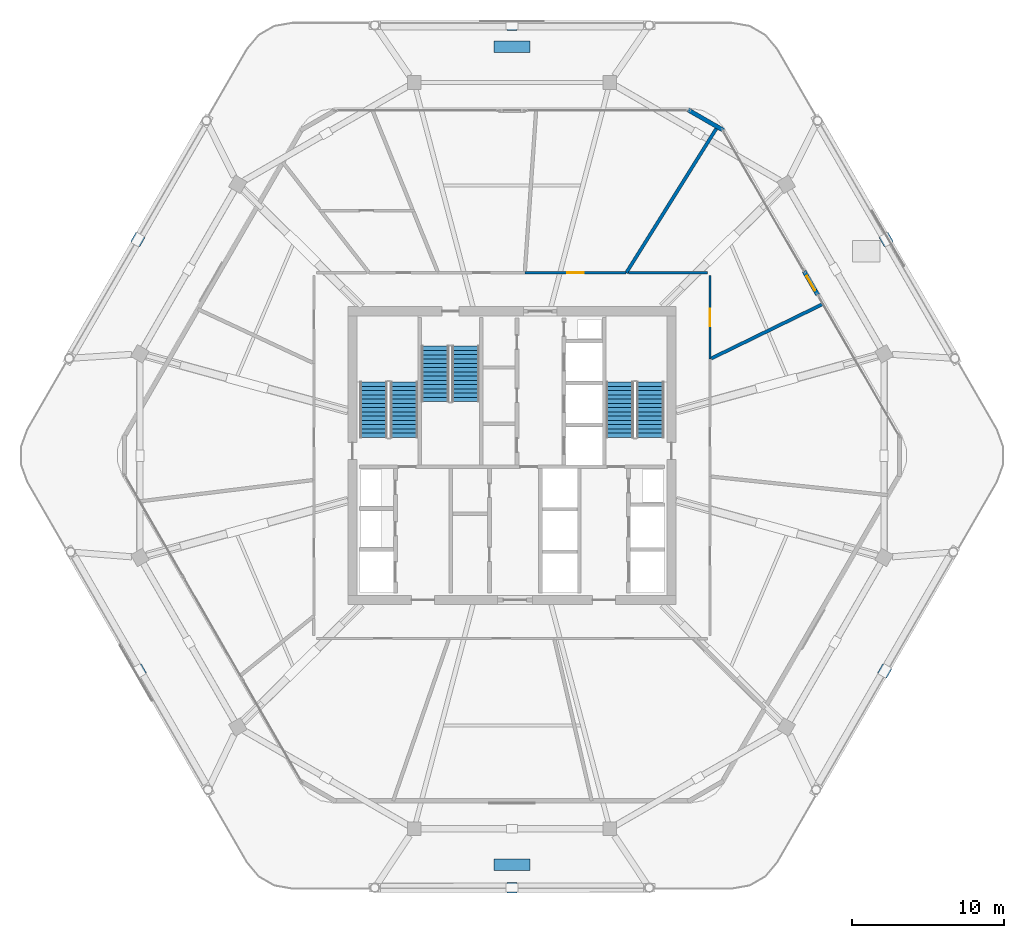
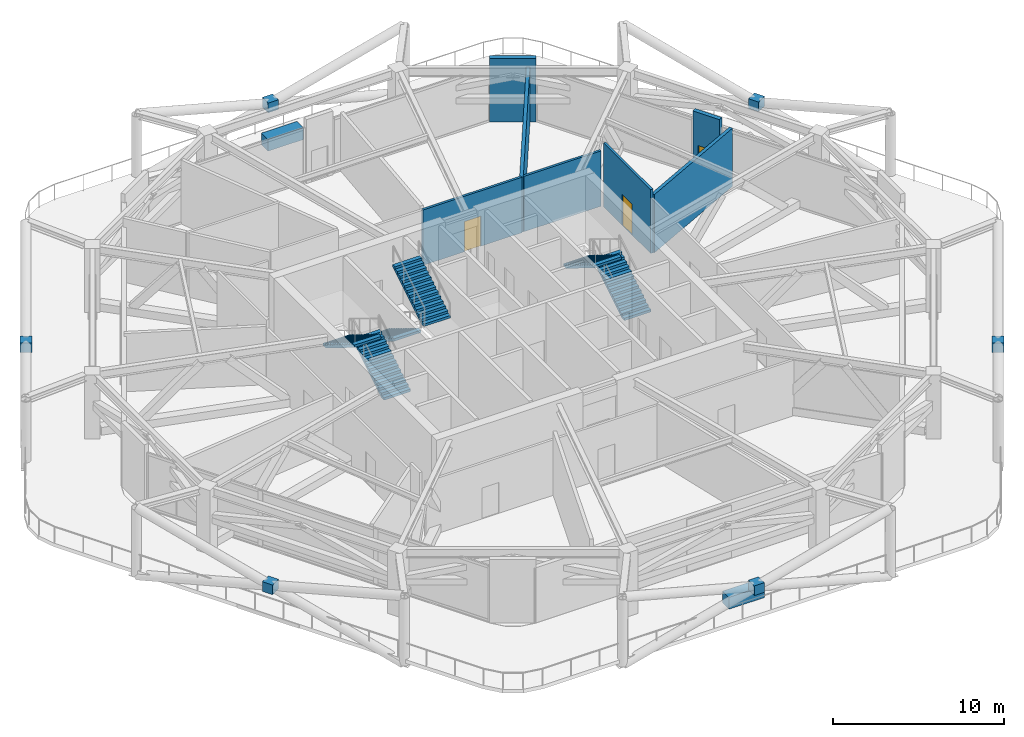
# One storey, part 15 of 20: 8 discrete accessories, 7 walls, 6 stair flights, 3 doors, 3 openings, 3 elements without a shape of their own.
"""IFC4 building model written with IfcOpenShell, lengths in metres."""

from ifc_helpers import new_model, si_unit, direction, frame, frame_2d, origin, origin_2d, place, context, subcontext, project, spatial, polyline, rectangle, outline, extrude, material, layer, layer_set, type_object, element, fill, aggregate, save


model = new_model("IFC4")

# Units and contexts
model_context = context("Model", 3, precision=1e-05, world=origin(), true_north=direction((0.0, 1.0)))
body_context = subcontext(model_context, "Body", "Model", "MODEL_VIEW")
ifc_project = project(units=[si_unit("LENGTHUNIT", "METRE"), si_unit("AREAUNIT", "SQUARE_METRE"), si_unit("VOLUMEUNIT", "CUBIC_METRE"), si_unit("PLANEANGLEUNIT", "RADIAN"), si_unit("MASSUNIT", "GRAM", prefix="KILO")], contexts=[model_context])

# Site, building, storey
site_placement = place(None, origin())
site = spatial("IfcSite", under=ifc_project, at=site_placement, CompositionType="ELEMENT")
building_placement = place(site_placement, origin())
building = spatial("IfcBuilding", under=site, at=building_placement, Name="Zuhravey Tower", CompositionType="ELEMENT")
storey_placement = place(building_placement, frame((0.0, 0.0, 226.39990234375)))
storey = spatial("IfcBuildingStorey", under=building, at=storey_placement, Name="L57", CompositionType="ELEMENT", Elevation=226.39990234375)

# Wall, opening, door
ifc_material_1 = material(Name="Gypsum fire-rated stud partition")
ifc_layer_1 = layer(ifc_material_1, 0.159912109375)
ifc_layer_set_1 = layer_set([ifc_layer_1], Name="Gypsum fire-rated stud partition")
wall_type_1 = type_object("IfcWallType", Name="Corridor Fire Partition 160", PredefinedType="PARTITIONING", material=ifc_layer_set_1)
wall_1_placement = place(storey_placement, frame((43.51708984375, 44.030029296875, 0.0), z_axis=(0.0, 0.0, 1.0), x_axis=(-1.0, 0.0, 0.0)))
wall_1 = element("IfcWall", 1, at=wall_1_placement, inside=storey, type_object=wall_type_1, Name="L57 IW16 Partition 019", PredefinedType="PARTITIONING", context=body_context, shape_type="SweptSolid", body=[
    extrude(rectangle(XDim=6.67578125, YDim=0.159912109375, at=frame_2d((3.337890625, 0.0))), origin(), (0.0, 0.0, 1.0), 3.9501953125),
])
opening_1_placement = place(wall_1_placement, frame((2.7880859375, 0.0, 0.0)))
opening_1 = element("IfcOpeningElement", 2, at=opening_1_placement, cuts=wall_1, Name="Opening STD1", PredefinedType="OPENING", context=body_context, shape_type="SweptSolid", body=[
    extrude(rectangle(XDim=1.10009765625, YDim=2.14990234375, at=frame_2d((0.550048828125, 1.074951171875))), frame((0.0, 0.092041015625, 0.0), z_axis=(0.0, -1.0, 0.0), x_axis=(1.0, 0.0, 0.0)), (0.0, 0.0, 1.0), 0.183837890625),
])
ifc_material_2 = material(Name="Galvanised fire-rated steel leaf", Category="steel")
door_type_1 = type_object("IfcDoorType", Name="Protected Stair Fire Door 1100x2150", OperationType="NOTDEFINED", PredefinedType="USERDEFINED", material=ifc_material_2)
door_1_placement = place(opening_1_placement, frame((1.10009765625, 0.0, 0.0), z_axis=(0.0, 0.0, 1.0), x_axis=(-1.0, 0.0, 0.0)))
door_1 = element("IfcDoor", 3, at=door_1_placement, inside=storey, type_object=door_type_1, Name="L57 Door 019.1", ObjectType="EXITDOOR", OperationType="SINGLE_SWING_RIGHT", OverallHeight=2.14990234375, OverallWidth=1.10009765625, PredefinedType="USERDEFINED", context=body_context, shape_type="SweptSolid", body=[
    extrude(rectangle(XDim=1.10009765625, YDim=2.14990234375, at=frame_2d((0.550048828125, 1.074951171875))), frame((0.0, 0.02490234375, 0.0), z_axis=(0.0, -1.0, 0.0), x_axis=(1.0, 0.0, 0.0)), (0.0, 0.0, 1.0), 0.050048828125),
])
fill(opening_1, door_1)

wall_2_placement = place(storey_placement, frame((49.030029296875, 38.355224609375, 0.0), z_axis=(0.0, 0.0, 1.0), x_axis=(0.0, 1.0, 0.0)))
wall_2 = element("IfcWall", 4, at=wall_2_placement, inside=storey, type_object=wall_type_1, Name="L57 IW16 Partition 031", PredefinedType="PARTITIONING", context=body_context, shape_type="SweptSolid", body=[
    extrude(rectangle(XDim=5.494873046875, YDim=0.159912109375, at=frame_2d((2.74755859375, 0.0))), origin(), (0.0, 0.0, 1.0), 4.550048828125),
])
opening_2_placement = place(wall_2_placement, frame((2.17236328125, 0.0, 0.0)))
opening_2 = element("IfcOpeningElement", 5, at=opening_2_placement, cuts=wall_2, Name="Opening CLD1", PredefinedType="OPENING", context=body_context, shape_type="SweptSolid", body=[
    extrude(rectangle(XDim=1.14990234375, YDim=2.199951171875, at=frame_2d((0.574951171875, 1.10009765625))), frame((0.0, 0.092041015625, 0.0), z_axis=(0.0, -1.0, 0.0), x_axis=(1.0, 0.0, 0.0)), (0.0, 0.0, 1.0), 0.183837890625),
])
ifc_material_3 = material(Name="Acoustic timber leaf with vision lite", Category="wood")
door_type_2 = type_object("IfcDoorType", Name="Classroom Acoustic Door 1150x2200", OperationType="NOTDEFINED", PredefinedType="DOOR", material=ifc_material_3)
door_2_placement = place(opening_2_placement, frame((1.14990234375, 0.0, 0.0), z_axis=(0.0, 0.0, 1.0), x_axis=(-1.0, 0.0, 0.0)))
door_2 = element("IfcDoor", 6, at=door_2_placement, inside=storey, type_object=door_type_2, Name="L57 Door 031.1", OperationType="SINGLE_SWING_RIGHT", OverallHeight=2.199951171875, OverallWidth=1.14990234375, PredefinedType="DOOR", context=body_context, shape_type="SweptSolid", body=[
    extrude(rectangle(XDim=1.14990234375, YDim=2.199951171875, at=frame_2d((0.574951171875, 1.10009765625))), frame((0.0, 0.02490234375, 0.0), z_axis=(0.0, -1.0, 0.0), x_axis=(1.0, 0.0, 0.0)), (0.0, 0.0, 1.0), 0.050048828125),
])
fill(opening_2, door_2)

# Walls
wall_3_placement = place(storey_placement, frame((48.85009765625, 44.050048828125, 0.0), z_axis=(0.0, 0.0, 1.0), x_axis=(-1.0, 0.0, 0.0)))
element("IfcWall", 7, at=wall_3_placement, inside=storey, type_object=wall_type_1, Name="L57 IW16 Partition 057", PredefinedType="PARTITIONING", context=body_context, shape_type="SweptSolid", body=[
    extrude(rectangle(XDim=5.181396484375, YDim=0.159912109375, at=frame_2d((2.5908203125, 0.0))), origin(), (0.0, 0.0, 1.0), 3.9501953125),
])
ifc_material_4 = material(Name="Precast concrete C40/50", Category="concrete")
ifc_layer_2 = layer(ifc_material_4, 0.280029296875)
ifc_layer_set_2 = layer_set([ifc_layer_2], Name="Precast concrete C40/50")
wall_type_2 = type_object("IfcWallType", Name="Crown Architectural Wall 280", PredefinedType="SOLIDWALL", material=ifc_layer_set_2)
wall_4_placement = place(storey_placement, frame((47.573486328125, 54.760986328125, 0.0), z_axis=(0.0, 0.0, 1.0), x_axis=(0.866043331744, -0.499968946578, 0.0)))
element("IfcWall", 8, at=wall_4_placement, inside=storey, type_object=wall_type_2, Name="L57 Rounded Corner Closure Wall EW28-10", PredefinedType="SOLIDWALL", context=body_context, shape_type="SweptSolid", body=[
    extrude(rectangle(XDim=2.715087890625, YDim=0.280029296875, at=frame_2d((1.357421875, 0.0))), origin(), (0.0, 0.0, 1.0), 4.550048828125),
])

# Wall, opening, door
wall_5_placement = place(storey_placement, frame((55.22314453125, 44.1318359375, 0.0), z_axis=(0.0, 0.0, 1.0), x_axis=(0.500041240653, -0.866001592173, 0.0)))
wall_5 = element("IfcWall", 9, at=wall_5_placement, inside=storey, type_object=wall_type_2, Name="L57 Face 1 Facade Pier EW28-1", PredefinedType="SOLIDWALL", context=body_context, shape_type="SweptSolid", body=[
    extrude(rectangle(XDim=1.789794921875, YDim=0.280029296875, at=frame_2d((0.89501953125, 0.0))), origin(), (0.0, 0.0, 1.0), 4.550048828125),
])
opening_3_placement = place(wall_5_placement, frame((0.344970703125, 0.0, 0.0)))
opening_3 = element("IfcOpeningElement", 10, at=opening_3_placement, cuts=wall_5, Name="Opening BLD1", PredefinedType="OPENING", context=body_context, shape_type="SweptSolid", body=[
    extrude(rectangle(XDim=1.10009765625, YDim=2.199951171875, at=frame_2d((0.550048828125, 1.10009765625))), frame((0.0, 0.152099609375, 0.0), z_axis=(0.0, -1.0, 0.0), x_axis=(1.0, 0.0, 0.0)), (0.0, 0.0, 1.0), 0.303955078125),
])
ifc_material_5 = material(Name="Thermally broken aluminium and low-E glass", Category="aluminium")
door_type_3 = type_object("IfcDoorType", Name="Balcony & Sky-Tray Glazed Door 1100x2200", OperationType="NOTDEFINED", PredefinedType="DOOR", material=ifc_material_5)
door_3_placement = place(opening_3_placement, frame((1.10009765625, 0.0, 0.0), z_axis=(0.0, 0.0, 1.0), x_axis=(-1.0, 0.0, 0.0)))
door_3 = element("IfcDoor", 11, at=door_3_placement, inside=storey, type_object=door_type_3, Name="L57 Sky-Garden Commons Room Terrace Door", OperationType="SINGLE_SWING_RIGHT", OverallHeight=2.199951171875, OverallWidth=1.10009765625, PredefinedType="DOOR", context=body_context, shape_type="SweptSolid", body=[
    extrude(rectangle(XDim=1.10009765625, YDim=2.199951171875, at=frame_2d((0.550048828125, 1.10009765625))), frame((0.0, 0.02490234375, 0.0), z_axis=(0.0, -1.0, 0.0), x_axis=(1.0, 0.0, 0.0)), (0.0, 0.0, 1.0), 0.050048828125),
])
fill(opening_3, door_3)

# Walls
ifc_material_6 = material(Name="Gypsum acoustic stud assembly")
ifc_layer_3 = layer(ifc_material_6, 0.219970703125)
ifc_layer_set_3 = layer_set([ifc_layer_3], Name="Gypsum acoustic stud assembly")
wall_type_3 = type_object("IfcWallType", Name="School Acoustic Compartment Wall 220", PredefinedType="PARTITIONING", material=ifc_layer_set_3)
wall_6_placement = place(storey_placement, frame((43.51708984375, 44.030029296875, 0.0), z_axis=(0.0, 0.0, 1.0), x_axis=(0.529931955559, 0.848040165604, 0.0)))
element("IfcWall", 12, at=wall_6_placement, inside=storey, type_object=wall_type_3, Name="L57 IW22 Partition 040", PredefinedType="PARTITIONING", context=body_context, shape_type="SweptSolid", body=[
    extrude(rectangle(XDim=11.466796875, YDim=0.219970703125, at=frame_2d((5.7333984375, 0.0))), origin(), (0.0, 0.0, 1.0), 3.93017578125),
])
wall_7_placement = place(storey_placement, frame((49.117919921875, 38.398193359375, 0.0), z_axis=(0.0, 0.0, 1.0), x_axis=(0.898804038056, 0.438350660059, 0.0)))
element("IfcWall", 13, at=wall_7_placement, inside=storey, type_object=wall_type_3, Name="L57 IW22 Partition 053", PredefinedType="PARTITIONING", context=body_context, shape_type="SweptSolid", body=[
    extrude(rectangle(XDim=8.173828125, YDim=0.219970703125, at=frame_2d((4.0869140625, 0.0))), origin(), (0.0, 0.0, 1.0), 4.150146484375),
])

# Stair, stair flights
ifc_material_7 = material(Name="Concrete C40/50", Category="concrete")
stair_type = type_object("IfcStairType", Name="Refuge Storey Stair Assembly 4800", PredefinedType="HALF_TURN_STAIR", material=ifc_material_7)
stair_1_placement = place(storey_placement, origin())
stair_1 = element("IfcStair", 14, at=stair_1_placement, inside=storey, type_object=stair_type, Name="L57 Core Exit Stair ST1", PredefinedType="HALF_TURN_STAIR")
stair_flight_type = type_object("IfcStairFlightType", Name="Refuge Storey Stair Flight 4800", PredefinedType="STRAIGHT", material=ifc_material_7)
stair_flight_1_placement = place(storey_placement, frame((28.89990234375, 33.199951171875, 0.0), z_axis=(0.0, 0.0, 1.0), x_axis=(0.0, 1.0, 0.0)))
stair_flight_1 = element("IfcStairFlight", 15, at=stair_flight_1_placement, type_object=stair_flight_type, Name="ST1 flight 1", NumberOfRisers=14, NumberOfTreads=13, PredefinedType="STRAIGHT", RiserHeight=0.171428571, TreadLength=0.28, context=body_context, shape_type="SweptSolid", body=[
    extrude(outline(polyline([(0.0, 0.0), (0.0, 0.17138671875), (0.280029296875, 0.17138671875), (0.280029296875, 0.3427734375), (0.56005859375, 0.3427734375), (0.56005859375, 0.514404296875), (0.840087890625, 0.514404296875), (0.840087890625, 0.685791015625), (1.1201171875, 0.685791015625), (1.1201171875, 0.857177734375), (1.39990234375, 0.857177734375), (1.39990234375, 1.028564453125), (1.679931640625, 1.028564453125), (1.679931640625, 1.199951171875), (1.9599609375, 1.199951171875), (1.9599609375, 1.371337890625), (2.239990234375, 1.371337890625), (2.239990234375, 1.54296875), (2.52001953125, 1.54296875), (2.52001953125, 1.71435546875), (2.800048828125, 1.71435546875), (2.800048828125, 1.8857421875), (3.080078125, 1.8857421875), (3.080078125, 2.05712890625), (3.360107421875, 2.05712890625), (3.360107421875, 2.228515625), (3.639892578125, 2.228515625), (3.639892578125, 2.39990234375), (3.639892578125, 2.052734375), (0.287109375, 0.0), (0.0, 0.0)])), frame((0.0, 0.89990234375, 0.0), z_axis=(0.0, -1.0, 0.0), x_axis=(1.0, 0.0, 0.0)), (0.0, 0.0, 1.0), 1.800048828125),
])
stair_flight_2_placement = place(storey_placement, frame((26.89990234375, 36.840087890625, 2.400146484375), z_axis=(0.0, 0.0, 1.0), x_axis=(0.0, -1.0, 0.0)))
stair_flight_2 = element("IfcStairFlight", 16, at=stair_flight_2_placement, type_object=stair_flight_type, Name="ST1 flight 2", NumberOfRisers=14, NumberOfTreads=13, PredefinedType="STRAIGHT", RiserHeight=0.171428571, TreadLength=0.28, context=body_context, shape_type="SweptSolid", body=[
    extrude(outline(polyline([(0.0, 0.0), (0.0, 0.17138671875), (0.280029296875, 0.17138671875), (0.280029296875, 0.3427734375), (0.56005859375, 0.3427734375), (0.56005859375, 0.514404296875), (0.840087890625, 0.514404296875), (0.840087890625, 0.685791015625), (1.1201171875, 0.685791015625), (1.1201171875, 0.857177734375), (1.39990234375, 0.857177734375), (1.39990234375, 1.028564453125), (1.679931640625, 1.028564453125), (1.679931640625, 1.199951171875), (1.9599609375, 1.199951171875), (1.9599609375, 1.371337890625), (2.239990234375, 1.371337890625), (2.239990234375, 1.54296875), (2.52001953125, 1.54296875), (2.52001953125, 1.71435546875), (2.800048828125, 1.71435546875), (2.800048828125, 1.8857421875), (3.080078125, 1.8857421875), (3.080078125, 2.05712890625), (3.360107421875, 2.05712890625), (3.360107421875, 2.228515625), (3.639892578125, 2.228515625), (3.639892578125, 2.39990234375), (3.639892578125, 2.052734375), (0.287109375, 0.0), (0.0, 0.0)])), frame((0.0, 0.89990234375, 0.0), z_axis=(0.0, -1.0, 0.0), x_axis=(1.0, 0.0, 0.0)), (0.0, 0.0, 1.0), 1.800048828125),
])
aggregate(stair_1, [stair_flight_1, stair_flight_2])

stair_2_placement = place(storey_placement, origin())
stair_2 = element("IfcStair", 17, at=stair_2_placement, inside=storey, type_object=stair_type, Name="L57 Core Exit Stair ST2", PredefinedType="HALF_TURN_STAIR")
stair_flight_3_placement = place(storey_placement, frame((45.10009765625, 33.199951171875, 0.0), z_axis=(0.0, 0.0, 1.0), x_axis=(0.0, 1.0, 0.0)))
stair_flight_3 = element("IfcStairFlight", 18, at=stair_flight_3_placement, type_object=stair_flight_type, Name="ST2 flight 1", NumberOfRisers=14, NumberOfTreads=13, PredefinedType="STRAIGHT", RiserHeight=0.171428571, TreadLength=0.28, context=body_context, shape_type="SweptSolid", body=[
    extrude(outline(polyline([(0.0, 0.0), (0.0, 0.17138671875), (0.280029296875, 0.17138671875), (0.280029296875, 0.3427734375), (0.56005859375, 0.3427734375), (0.56005859375, 0.514404296875), (0.840087890625, 0.514404296875), (0.840087890625, 0.685791015625), (1.1201171875, 0.685791015625), (1.1201171875, 0.857177734375), (1.39990234375, 0.857177734375), (1.39990234375, 1.028564453125), (1.679931640625, 1.028564453125), (1.679931640625, 1.199951171875), (1.9599609375, 1.199951171875), (1.9599609375, 1.371337890625), (2.239990234375, 1.371337890625), (2.239990234375, 1.54296875), (2.52001953125, 1.54296875), (2.52001953125, 1.71435546875), (2.800048828125, 1.71435546875), (2.800048828125, 1.8857421875), (3.080078125, 1.8857421875), (3.080078125, 2.05712890625), (3.360107421875, 2.05712890625), (3.360107421875, 2.228515625), (3.639892578125, 2.228515625), (3.639892578125, 2.39990234375), (3.639892578125, 2.052734375), (0.287109375, 0.0), (0.0, 0.0)])), frame((0.0, 0.89990234375, 0.0), z_axis=(0.0, -1.0, 0.0), x_axis=(1.0, 0.0, 0.0)), (0.0, 0.0, 1.0), 1.800048828125),
])
stair_flight_4_placement = place(storey_placement, frame((43.10009765625, 36.840087890625, 2.400146484375), z_axis=(0.0, 0.0, 1.0), x_axis=(0.0, -1.0, 0.0)))
stair_flight_4 = element("IfcStairFlight", 19, at=stair_flight_4_placement, type_object=stair_flight_type, Name="ST2 flight 2", NumberOfRisers=14, NumberOfTreads=13, PredefinedType="STRAIGHT", RiserHeight=0.171428571, TreadLength=0.28, context=body_context, shape_type="SweptSolid", body=[
    extrude(outline(polyline([(0.0, 0.0), (0.0, 0.17138671875), (0.280029296875, 0.17138671875), (0.280029296875, 0.3427734375), (0.56005859375, 0.3427734375), (0.56005859375, 0.514404296875), (0.840087890625, 0.514404296875), (0.840087890625, 0.685791015625), (1.1201171875, 0.685791015625), (1.1201171875, 0.857177734375), (1.39990234375, 0.857177734375), (1.39990234375, 1.028564453125), (1.679931640625, 1.028564453125), (1.679931640625, 1.199951171875), (1.9599609375, 1.199951171875), (1.9599609375, 1.371337890625), (2.239990234375, 1.371337890625), (2.239990234375, 1.54296875), (2.52001953125, 1.54296875), (2.52001953125, 1.71435546875), (2.800048828125, 1.71435546875), (2.800048828125, 1.8857421875), (3.080078125, 1.8857421875), (3.080078125, 2.05712890625), (3.360107421875, 2.05712890625), (3.360107421875, 2.228515625), (3.639892578125, 2.228515625), (3.639892578125, 2.39990234375), (3.639892578125, 2.052734375), (0.287109375, 0.0), (0.0, 0.0)])), frame((0.0, 0.89990234375, 0.0), z_axis=(0.0, -1.0, 0.0), x_axis=(1.0, 0.0, 0.0)), (0.0, 0.0, 1.0), 1.800048828125),
])
aggregate(stair_2, [stair_flight_3, stair_flight_4])

stair_3_placement = place(storey_placement, origin())
stair_3 = element("IfcStair", 20, at=stair_3_placement, inside=storey, type_object=stair_type, Name="L57 Core Exit Stair ST3", PredefinedType="HALF_TURN_STAIR")
stair_flight_5_placement = place(storey_placement, frame((30.949951171875, 39.199951171875, 0.0), z_axis=(0.0, 0.0, 1.0), x_axis=(0.0, -1.0, 0.0)))
stair_flight_5 = element("IfcStairFlight", 21, at=stair_flight_5_placement, type_object=stair_flight_type, Name="ST3 flight 1", NumberOfRisers=14, NumberOfTreads=13, PredefinedType="STRAIGHT", RiserHeight=0.171428571, TreadLength=0.28, context=body_context, shape_type="SweptSolid", body=[
    extrude(outline(polyline([(0.0, 0.0), (0.0, 0.17138671875), (0.280029296875, 0.17138671875), (0.280029296875, 0.3427734375), (0.56005859375, 0.3427734375), (0.56005859375, 0.514404296875), (0.840087890625, 0.514404296875), (0.840087890625, 0.685791015625), (1.1201171875, 0.685791015625), (1.1201171875, 0.857177734375), (1.39990234375, 0.857177734375), (1.39990234375, 1.028564453125), (1.679931640625, 1.028564453125), (1.679931640625, 1.199951171875), (1.9599609375, 1.199951171875), (1.9599609375, 1.371337890625), (2.239990234375, 1.371337890625), (2.239990234375, 1.54296875), (2.52001953125, 1.54296875), (2.52001953125, 1.71435546875), (2.800048828125, 1.71435546875), (2.800048828125, 1.8857421875), (3.080078125, 1.8857421875), (3.080078125, 2.05712890625), (3.360107421875, 2.05712890625), (3.360107421875, 2.228515625), (3.639892578125, 2.228515625), (3.639892578125, 2.39990234375), (3.639892578125, 2.052734375), (0.287109375, 0.0), (0.0, 0.0)])), frame((0.0, 0.89990234375, 0.0), z_axis=(0.0, -1.0, 0.0), x_axis=(1.0, 0.0, 0.0)), (0.0, 0.0, 1.0), 1.800048828125),
])
stair_flight_6_placement = place(storey_placement, frame((32.949951171875, 35.56005859375, 2.400146484375), z_axis=(0.0, 0.0, 1.0), x_axis=(0.0, 1.0, 0.0)))
stair_flight_6 = element("IfcStairFlight", 22, at=stair_flight_6_placement, type_object=stair_flight_type, Name="ST3 flight 2", NumberOfRisers=14, NumberOfTreads=13, PredefinedType="STRAIGHT", RiserHeight=0.171428571, TreadLength=0.28, context=body_context, shape_type="SweptSolid", body=[
    extrude(outline(polyline([(0.0, 0.0), (0.0, 0.17138671875), (0.280029296875, 0.17138671875), (0.280029296875, 0.3427734375), (0.56005859375, 0.3427734375), (0.56005859375, 0.514404296875), (0.840087890625, 0.514404296875), (0.840087890625, 0.685791015625), (1.1201171875, 0.685791015625), (1.1201171875, 0.857177734375), (1.39990234375, 0.857177734375), (1.39990234375, 1.028564453125), (1.679931640625, 1.028564453125), (1.679931640625, 1.199951171875), (1.9599609375, 1.199951171875), (1.9599609375, 1.371337890625), (2.239990234375, 1.371337890625), (2.239990234375, 1.54296875), (2.52001953125, 1.54296875), (2.52001953125, 1.71435546875), (2.800048828125, 1.71435546875), (2.800048828125, 1.8857421875), (3.080078125, 1.8857421875), (3.080078125, 2.05712890625), (3.360107421875, 2.05712890625), (3.360107421875, 2.228515625), (3.639892578125, 2.228515625), (3.639892578125, 2.39990234375), (3.639892578125, 2.052734375), (0.287109375, 0.0), (0.0, 0.0)])), frame((0.0, 0.89990234375, 0.0), z_axis=(0.0, -1.0, 0.0), x_axis=(1.0, 0.0, 0.0)), (0.0, 0.0, 1.0), 1.800048828125),
])
aggregate(stair_3, [stair_flight_5, stair_flight_6])

# Discrete accessories
ifc_material_8 = material(Name="Steel SM355", Category="steel")
discrete_accessory_type_1 = type_object("IfcDiscreteAccessoryType", Name="Exoskeleton Support Bracket", PredefinedType="BRACKET", material=ifc_material_8)
for number, where, z_axis, x_axis, name in (
    (23, (60.62646484375, 46.218017578125, 1.576171875), (0.0, 0.0, 1.0), (-0.5, 0.866025403784, 0.0), "L57 Face 1 Diagrid X-Crossing Collar BRK1"),
    (24, (36.0, 60.323486328125, 1.576171875), (0.0, 0.0, 1.0), (-1.0, 0.0, 0.0), "L57 Face 2 Diagrid X-Crossing Collar BRK1"),
    (25, (11.37353515625, 46.218017578125, 1.576171875), (0.0, 0.0, 1.0), (-0.5, -0.866025403784, 0.0), "L57 Face 3 Diagrid X-Crossing Collar BRK1"),
    (26, (11.470947265625, 17.838134765625, 1.576171875), (0.0, 0.0, 1.0), (0.5, -0.866025403784, 0.0), "L57 Face 4 Diagrid X-Crossing Collar BRK1"),
    (27, (36.0, 3.56396484375, 1.576171875), (0.0, 0.0, 1.0), (1.0, 0.0, 0.0), "L57 Face 5 Diagrid X-Crossing Collar BRK1"),
    (28, (60.529052734375, 17.838134765625, 1.576171875), (0.0, 0.0, 1.0), (0.5, 0.866025403784, 0.0), "L57 Face 6 Diagrid X-Crossing Collar BRK1"),
):
    element("IfcDiscreteAccessory", number, at=place(storey_placement, frame(where, z_axis=z_axis, x_axis=x_axis)), inside=storey, type_object=discrete_accessory_type_1, Name=name, PredefinedType="BRACKET", context=body_context, shape_type="SweptSolid", body=[
        extrude(rectangle(XDim=0.68994140625, YDim=0.68994140625, at=origin_2d()), origin(), (0.0, 0.0, 1.0), 0.68994140625),
    ])
ifc_material_9 = material(Name="Architectural GRC planter with planting soil")
discrete_accessory_type_2 = type_object("IfcDiscreteAccessoryType", Name="Sky-Garden Structural Planter", PredefinedType="USERDEFINED", material=ifc_material_9)
for number, where, z_axis, x_axis, name in (
    (29, (36.0, 58.916015625, 0.0), (0.0, 0.0, 1.0), (-1.0, 0.0, 0.0), "L57 Sky-Garden Planter PLN1-1"),
    (30, (36.0, 5.083984375, 0.0), (0.0, 0.0, 1.0), (1.0, 0.0, 0.0), "L57 Sky-Garden Planter PLN1-2"),
):
    element("IfcDiscreteAccessory", number, at=place(storey_placement, frame(where, z_axis=z_axis, x_axis=x_axis)), inside=storey, type_object=discrete_accessory_type_2, Name=name, ObjectType="PLANTER", PredefinedType="USERDEFINED", context=body_context, shape_type="SweptSolid", body=[
        extrude(rectangle(XDim=2.39990234375, YDim=0.75, at=origin_2d()), origin(), (0.0, 0.0, 1.0), 0.85009765625),
    ])

save(model, "model.ifc")
